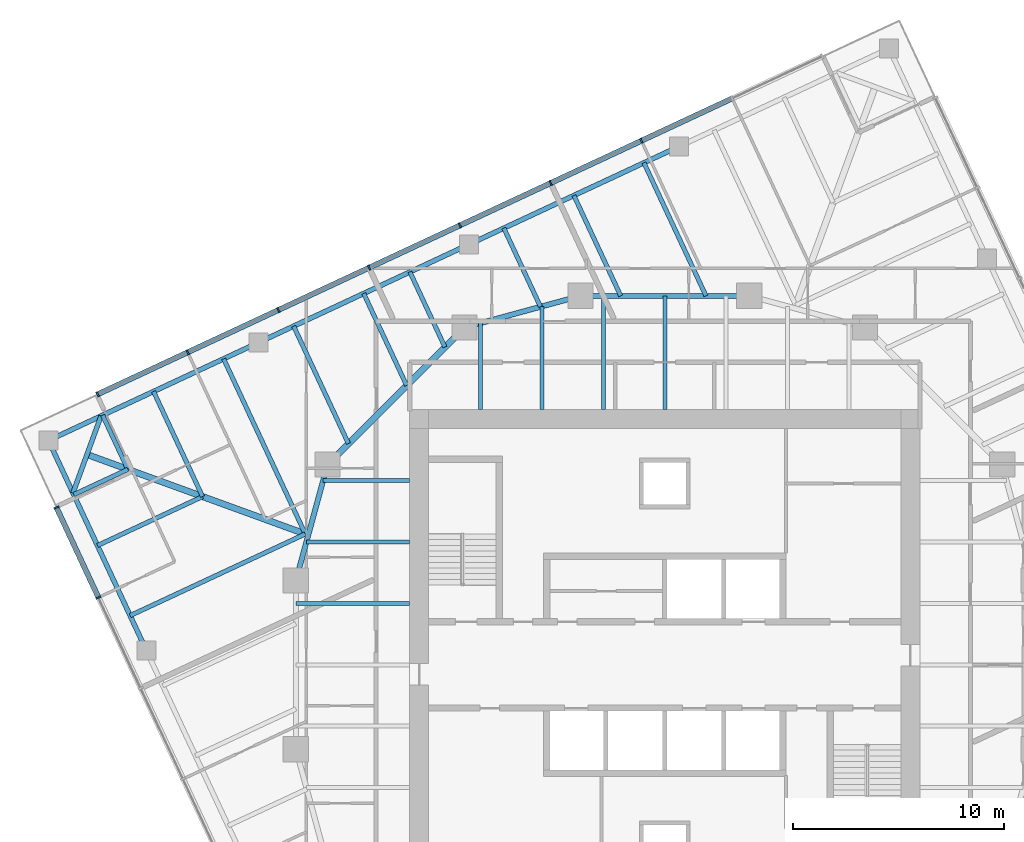
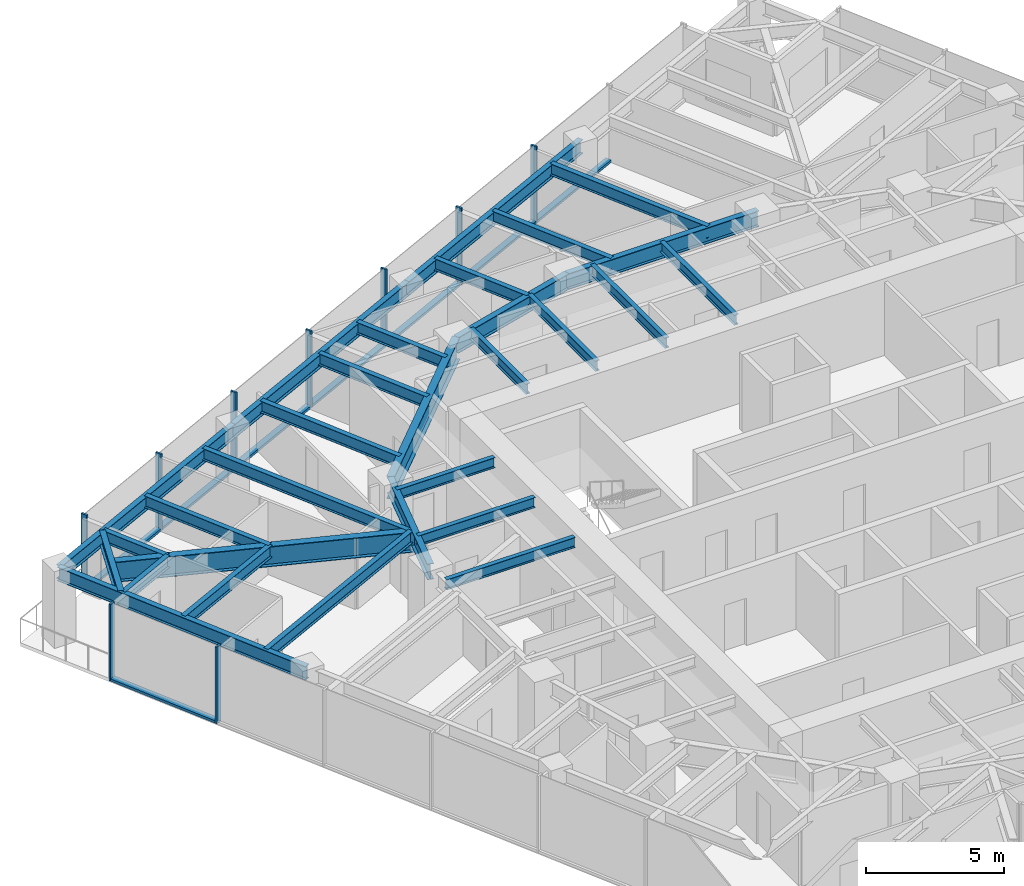
# One storey, part 4 of 13: 29 beams, 17 members, 2 elements without a shape of their own.
"""IFC4 building model written with IfcOpenShell, lengths in metres."""

from ifc_helpers import new_model, si_unit, direction, frame, origin, origin_2d, place, context, subcontext, project, spatial, rectangle, i_section, extrude, material, material_profile, profile_set, type_object, element, aggregate, save


model = new_model("IFC4")

# Units and contexts
model_context = context("Model", 3, precision=1e-05, world=origin(), true_north=direction((0.0, 1.0)))
body_context = subcontext(model_context, "Body", "Model", "MODEL_VIEW")
ifc_project = project(units=[si_unit("LENGTHUNIT", "METRE"), si_unit("AREAUNIT", "SQUARE_METRE"), si_unit("VOLUMEUNIT", "CUBIC_METRE"), si_unit("PLANEANGLEUNIT", "RADIAN"), si_unit("MASSUNIT", "GRAM", prefix="KILO")], contexts=[model_context])

# Site, building, storey
site_placement = place(None, origin())
site = spatial("IfcSite", under=ifc_project, at=site_placement, CompositionType="ELEMENT")
building_placement = place(site_placement, origin())
building = spatial("IfcBuilding", under=site, at=building_placement, Name="Torsade Residences", CompositionType="ELEMENT")
storey_placement = place(building_placement, frame((0.0, 0.0, 179.39990234375)))
storey = spatial("IfcBuildingStorey", under=building, at=storey_placement, Name="L49", CompositionType="ELEMENT", Elevation=179.39990234375)

# Beams
ifc_material_1 = material(Name="Steel grade 300", Category="steel")
ifc_material_profile_1 = material_profile(ifc_material_1, i_section(OverallWidth=0.300048828125, OverallDepth=0.89990234375, WebThickness=0.011962890625, FlangeThickness=0.02490234375, at=origin_2d()), Name="900WB175")
ifc_profile_set_1 = profile_set([ifc_material_profile_1], Name="Steel grade 300")
beam_type_1 = type_object("IfcBeamType", Name="CORNER GIRDER 900WB175", PredefinedType="BEAM", material=ifc_profile_set_1)
beam_1_placement = place(storey_placement, frame((12.5908203125, 39.97607421875, 2.800048828125), z_axis=(0.93969447651, -0.342015044723, 0.0), x_axis=(0.342015044723, 0.93969447651, 0.0)))
element("IfcBeam", 1, at=beam_1_placement, inside=storey, type_object=beam_type_1, Name="Corner girder 13 L50", PredefinedType="BEAM", context=body_context, shape_type="SweptSolid", body=[
    extrude(i_section(OverallWidth=0.300048828125, OverallDepth=0.89990234375, WebThickness=0.011962890625, FlangeThickness=0.02490234375, at=origin_2d()), origin(), (0.0, 0.0, 1.0), 11.170654296875),
])
ifc_material_2 = material(Name="Steel grade 300", Category="steel")
ifc_material_profile_2 = material_profile(ifc_material_2, i_section(OverallWidth=0.22802734375, OverallDepth=0.60205078125, WebThickness=0.010498046875, FlangeThickness=0.014892578125, FilletRadius=0.013916015625, at=origin_2d()), Name="610UB101")
ifc_profile_set_2 = profile_set([ifc_material_profile_2], Name="Steel grade 300")
beam_type_2 = type_object("IfcBeamType", Name="CORNER TRIMMER 610UB101", PredefinedType="BEAM", material=ifc_profile_set_2)
beam_2_placement = place(storey_placement, frame((11.92578125, 38.14892578125, 2.94921875), z_axis=(0.342005152204, 0.939698076972, 0.0), x_axis=(-0.939698076972, 0.342005152204, 0.0)))
element("IfcBeam", 2, at=beam_2_placement, inside=storey, type_object=beam_type_2, Name="Corner trimmer 13 L50", PredefinedType="BEAM", context=body_context, shape_type="SweptSolid", body=[
    extrude(i_section(OverallWidth=0.22802734375, OverallDepth=0.60205078125, WebThickness=0.010498046875, FlangeThickness=0.014892578125, FilletRadius=0.013916015625, at=origin_2d()), origin(), (0.0, 0.0, 1.0), 3.88916015625),
])
ifc_material_3 = material(Name="Steel grade 300", Category="steel")
ifc_material_profile_3 = material_profile(ifc_material_3, i_section(OverallWidth=0.22900390625, OverallDepth=0.612060546875, WebThickness=0.011962890625, FlangeThickness=0.01953125, FilletRadius=0.013916015625, at=origin_2d()), Name="610UB125")
ifc_profile_set_3 = profile_set([ifc_material_profile_3], Name="Steel grade 300")
beam_type_3 = type_object("IfcBeamType", Name="EDGE BEAM 610UB125", PredefinedType="SPANDREL", material=ifc_profile_set_3)
beam_3_placement = place(storey_placement, frame((40.671875, 54.587646484375, 2.944091796875), z_axis=(-0.906305009094, -0.422624219007, 0.0), x_axis=(0.422624219007, -0.906305009094, 0.0)))
element("IfcBeam", 3, at=beam_3_placement, inside=storey, type_object=beam_type_3, Name="Edge beam 10 L50", PredefinedType="SPANDREL", context=body_context, shape_type="SweptSolid", body=[
    extrude(i_section(OverallWidth=0.22900390625, OverallDepth=0.612060546875, WebThickness=0.011962890625, FlangeThickness=0.01953125, FilletRadius=0.013916015625, at=origin_2d()), origin(), (0.0, 0.0, 1.0), 11.000244140625),
])
for number, where, z_axis, x_axis, name in (
    (4, (30.702392578125, 49.938720703125, 2.944091796875), (-0.906313510001, -0.422605988587, 0.0), (0.422605988587, -0.906313510001, 0.0), "Edge beam 11 L50"),
    (5, (20.73291015625, 45.2900390625, 2.944091796875), (-0.90630104482, -0.422632720171, 0.0), (0.422632720171, -0.90630104482, 0.0), "Edge beam 12 L50"),
):
    element("IfcBeam", number, at=place(storey_placement, frame(where, z_axis=z_axis, x_axis=x_axis)), inside=storey, type_object=beam_type_3, Name=name, PredefinedType="SPANDREL", context=body_context, shape_type="SweptSolid", body=[
        extrude(i_section(OverallWidth=0.22900390625, OverallDepth=0.612060546875, WebThickness=0.011962890625, FlangeThickness=0.01953125, FilletRadius=0.013916015625, at=origin_2d()), origin(), (0.0, 0.0, 1.0), 11.0),
    ])
beam_4_placement = place(storey_placement, frame((10.763671875, 40.64111328125, 2.944091796875), z_axis=(0.422614489543, -0.906309546032, 0.0), x_axis=(0.906309546032, 0.422614489543, 0.0)))
element("IfcBeam", 6, at=beam_4_placement, inside=storey, type_object=beam_type_3, Name="Edge beam 13 L50", PredefinedType="SPANDREL", context=body_context, shape_type="SweptSolid", body=[
    extrude(i_section(OverallWidth=0.22900390625, OverallDepth=0.612060546875, WebThickness=0.011962890625, FlangeThickness=0.01953125, FilletRadius=0.013916015625, at=origin_2d()), origin(), (0.0, 0.0, 1.0), 10.999755859375),
])
ifc_material_4 = material(Name="Steel grade 300", Category="steel")
ifc_material_profile_4 = material_profile(ifc_material_4, i_section(OverallWidth=0.18994140625, OverallDepth=0.4541015625, WebThickness=0.008544921875, FlangeThickness=0.0126953125, FilletRadius=0.011474609375, at=origin_2d()), Name="460UB67.1")
ifc_profile_set_4 = profile_set([ifc_material_profile_4], Name="Steel grade 300")
beam_type_4 = type_object("IfcBeamType", Name="INNER FLOOR BEAM 460UB67.1", PredefinedType="JOIST", material=ifc_profile_set_4)
beam_5_placement = place(storey_placement, frame((31.262451171875, 42.10009765625, 3.023193359375), z_axis=(0.0, 1.0, 0.0), x_axis=(-1.0, 0.0, 0.0)))
element("IfcBeam", 7, at=beam_5_placement, inside=storey, type_object=beam_type_4, Name="Inner floor beam IN01 L50", PredefinedType="JOIST", context=body_context, shape_type="SweptSolid", body=[
    extrude(i_section(OverallWidth=0.18994140625, OverallDepth=0.4541015625, WebThickness=0.008544921875, FlangeThickness=0.0126953125, FilletRadius=0.011474609375, at=origin_2d()), origin(), (0.0, 0.0, 1.0), 4.10791015625),
])
beam_6_placement = place(storey_placement, frame((34.175048828125, 42.10009765625, 3.023193359375), z_axis=(0.0, 1.0, 0.0), x_axis=(-1.0, 0.0, 0.0)))
element("IfcBeam", 8, at=beam_6_placement, inside=storey, type_object=beam_type_4, Name="Inner floor beam IN02 L50", PredefinedType="JOIST", context=body_context, shape_type="SweptSolid", body=[
    extrude(i_section(OverallWidth=0.18994140625, OverallDepth=0.4541015625, WebThickness=0.008544921875, FlangeThickness=0.0126953125, FilletRadius=0.011474609375, at=origin_2d()), origin(), (0.0, 0.0, 1.0), 4.902099609375),
])
for number, where, z_axis, x_axis, name in (
    (9, (37.08740234375, 42.10009765625, 3.023193359375), (0.0, 1.0, 0.0), (-1.0, 0.0, 0.0), "Inner floor beam IN03 L50"),
    (10, (40.0, 42.10009765625, 3.023193359375), (0.0, 1.0, 0.0), (-1.0, 0.0, 0.0), "Inner floor beam IN04 L50"),
):
    element("IfcBeam", number, at=place(storey_placement, frame(where, z_axis=z_axis, x_axis=x_axis)), inside=storey, type_object=beam_type_4, Name=name, PredefinedType="JOIST", context=body_context, shape_type="SweptSolid", body=[
        extrude(i_section(OverallWidth=0.18994140625, OverallDepth=0.4541015625, WebThickness=0.008544921875, FlangeThickness=0.0126953125, FilletRadius=0.011474609375, at=origin_2d()), origin(), (0.0, 0.0, 1.0), 5.39990234375),
    ])
beam_7_placement = place(storey_placement, frame((27.89990234375, 38.737548828125, 3.023193359375), z_axis=(-1.0, 0.0, 0.0), x_axis=(0.0, -1.0, 0.0)))
element("IfcBeam", 11, at=beam_7_placement, inside=storey, type_object=beam_type_4, Name="Inner floor beam IW01 L50", PredefinedType="JOIST", context=body_context, shape_type="SweptSolid", body=[
    extrude(i_section(OverallWidth=0.18994140625, OverallDepth=0.4541015625, WebThickness=0.008544921875, FlangeThickness=0.0126953125, FilletRadius=0.011474609375, at=origin_2d()), origin(), (0.0, 0.0, 1.0), 4.10791015625),
])
beam_8_placement = place(storey_placement, frame((27.89990234375, 35.824951171875, 3.023193359375), z_axis=(-1.0, 0.0, 0.0), x_axis=(0.0, -1.0, 0.0)))
element("IfcBeam", 12, at=beam_8_placement, inside=storey, type_object=beam_type_4, Name="Inner floor beam IW02 L50", PredefinedType="JOIST", context=body_context, shape_type="SweptSolid", body=[
    extrude(i_section(OverallWidth=0.18994140625, OverallDepth=0.4541015625, WebThickness=0.008544921875, FlangeThickness=0.0126953125, FilletRadius=0.011474609375, at=origin_2d()), origin(), (0.0, 0.0, 1.0), 4.902099609375),
])
beam_9_placement = place(storey_placement, frame((27.89990234375, 32.91259765625, 3.023193359375), z_axis=(-1.0, 0.0, 0.0), x_axis=(0.0, -1.0, 0.0)))
element("IfcBeam", 13, at=beam_9_placement, inside=storey, type_object=beam_type_4, Name="Inner floor beam IW03 L50", PredefinedType="JOIST", context=body_context, shape_type="SweptSolid", body=[
    extrude(i_section(OverallWidth=0.18994140625, OverallDepth=0.4541015625, WebThickness=0.008544921875, FlangeThickness=0.0126953125, FilletRadius=0.011474609375, at=origin_2d()), origin(), (0.0, 0.0, 1.0), 5.39990234375),
])

# Curtain wall, members
ifc_material_5 = material(Name="Aluminium and glass", Category="aluminium")
curtain_wall_type = type_object("IfcCurtainWallType", Name="FRITTED GLASS CURTAIN WALL MID ZONE", PredefinedType="NOTDEFINED", material=ifc_material_5)
curtain_wall_1_placement = place(storey_placement, origin())
curtain_wall_1 = element("IfcCurtainWall", 14, at=curtain_wall_1_placement, inside=storey, type_object=curtain_wall_type, Name="Curtain wall L49 face 7", PredefinedType="NOTDEFINED")
ifc_material_6 = material(Name="Aluminium mullion", Category="aluminium")
ifc_material_profile_5 = material_profile(ifc_material_6, rectangle(XDim=0.25, YDim=0.080078125, at=origin_2d()), Name="MID ZONE CURTAIN WALL MULLION 250x80")
ifc_profile_set_5 = profile_set([ifc_material_profile_5], Name="Aluminium mullion")
member_type_1 = type_object("IfcMemberType", Name="MID ZONE CURTAIN WALL MULLION 250x80", PredefinedType="MULLION", material=ifc_profile_set_5)
member_1_placement = place(storey_placement, frame((38.8896484375, 54.85986328125, 0.0), z_axis=(0.0, 0.0, 1.0), x_axis=(0.422618261978, -0.906307786926, 0.0)))
member_1 = element("IfcMember", 15, at=member_1_placement, type_object=member_type_1, Name="Mullion 3", PredefinedType="MULLION", context=body_context, shape_type="SweptSolid", body=[
    extrude(rectangle(XDim=0.25, YDim=0.080078125, at=origin_2d()), origin(), (0.0, 0.0, 1.0), 3.400146484375),
])
member_2_placement = place(storey_placement, frame((34.584716796875, 52.8525390625, 0.0), z_axis=(0.0, 0.0, 1.0), x_axis=(0.422618261978, -0.906307786926, 0.0)))
member_2 = element("IfcMember", 16, at=member_2_placement, type_object=member_type_1, Name="Mullion 4", PredefinedType="MULLION", context=body_context, shape_type="SweptSolid", body=[
    extrude(rectangle(XDim=0.25, YDim=0.080078125, at=origin_2d()), origin(), (0.0, 0.0, 1.0), 3.400146484375),
])
member_3_placement = place(storey_placement, frame((30.27978515625, 50.844970703125, 0.0), z_axis=(0.0, 0.0, 1.0), x_axis=(0.422618261978, -0.906307786926, 0.0)))
member_3 = element("IfcMember", 17, at=member_3_placement, type_object=member_type_1, Name="Mullion 5", PredefinedType="MULLION", context=body_context, shape_type="SweptSolid", body=[
    extrude(rectangle(XDim=0.25, YDim=0.080078125, at=origin_2d()), origin(), (0.0, 0.0, 1.0), 3.400146484375),
])
member_4_placement = place(storey_placement, frame((25.974853515625, 48.837646484375, 0.0), z_axis=(0.0, 0.0, 1.0), x_axis=(0.422618261978, -0.906307786926, 0.0)))
member_4 = element("IfcMember", 18, at=member_4_placement, type_object=member_type_1, Name="Mullion 6", PredefinedType="MULLION", context=body_context, shape_type="SweptSolid", body=[
    extrude(rectangle(XDim=0.25, YDim=0.080078125, at=origin_2d()), origin(), (0.0, 0.0, 1.0), 3.400146484375),
])
member_5_placement = place(storey_placement, frame((21.669921875, 46.830322265625, 0.0), z_axis=(0.0, 0.0, 1.0), x_axis=(0.422618261978, -0.906307786926, 0.0)))
member_5 = element("IfcMember", 19, at=member_5_placement, type_object=member_type_1, Name="Mullion 7", PredefinedType="MULLION", context=body_context, shape_type="SweptSolid", body=[
    extrude(rectangle(XDim=0.25, YDim=0.080078125, at=origin_2d()), origin(), (0.0, 0.0, 1.0), 3.400146484375),
])
member_6_placement = place(storey_placement, frame((17.364990234375, 44.82275390625, 0.0), z_axis=(0.0, 0.0, 1.0), x_axis=(0.422618261978, -0.906307786926, 0.0)))
member_6 = element("IfcMember", 20, at=member_6_placement, type_object=member_type_1, Name="Mullion 8", PredefinedType="MULLION", context=body_context, shape_type="SweptSolid", body=[
    extrude(rectangle(XDim=0.25, YDim=0.080078125, at=origin_2d()), origin(), (0.0, 0.0, 1.0), 3.400146484375),
])
member_7_placement = place(storey_placement, frame((13.09619140625, 42.832275390625, 0.0), z_axis=(0.0, 0.0, 1.0), x_axis=(0.422618261978, -0.906307786926, 0.0)))
member_7 = element("IfcMember", 21, at=member_7_placement, type_object=member_type_1, Name="Mullion 9", PredefinedType="MULLION", context=body_context, shape_type="SweptSolid", body=[
    extrude(rectangle(XDim=0.25, YDim=0.080078125, at=origin_2d()), origin(), (0.0, 0.0, 1.0), 3.400146484375),
])

curtain_wall_2_placement = place(storey_placement, origin())
curtain_wall_2 = element("IfcCurtainWall", 22, at=curtain_wall_2_placement, inside=storey, type_object=curtain_wall_type, Name="Curtain wall L49 face 10", PredefinedType="NOTDEFINED")
member_8_placement = place(storey_placement, frame((11.14208984375, 37.46337890625, 0.0), z_axis=(0.0, 0.0, 1.0), x_axis=(0.906307786926, 0.422618261978, 0.0)))
member_8 = element("IfcMember", 23, at=member_8_placement, type_object=member_type_1, Name="Mullion 1", PredefinedType="MULLION", context=body_context, shape_type="SweptSolid", body=[
    extrude(rectangle(XDim=0.25, YDim=0.080078125, at=origin_2d()), origin(), (0.0, 0.0, 1.0), 3.400146484375),
])
member_9_placement = place(storey_placement, frame((13.132568359375, 33.194580078125, 0.0), z_axis=(0.0, 0.0, 1.0), x_axis=(0.906307786926, 0.422618261978, 0.0)))
member_9 = element("IfcMember", 24, at=member_9_placement, type_object=member_type_1, Name="Mullion 2", PredefinedType="MULLION", context=body_context, shape_type="SweptSolid", body=[
    extrude(rectangle(XDim=0.25, YDim=0.080078125, at=origin_2d()), origin(), (0.0, 0.0, 1.0), 3.400146484375),
])

# Member
ifc_material_7 = material(Name="Aluminium transom", Category="aluminium")
ifc_material_profile_6 = material_profile(ifc_material_7, rectangle(XDim=0.25, YDim=0.110107421875, at=origin_2d()), Name="MID ZONE CURTAIN WALL TRANSOM 250x110")
ifc_profile_set_6 = profile_set([ifc_material_profile_6], Name="Aluminium transom")
member_type_2 = type_object("IfcMemberType", Name="MID ZONE CURTAIN WALL TRANSOM 250x110", PredefinedType="USERDEFINED", material=ifc_profile_set_6)
member_10_placement = place(storey_placement, frame((43.158447265625, 56.8505859375, 0.05517578125), z_axis=(-0.906305976097, -0.422622145291, 0.0), x_axis=(0.422622145291, -0.906305976097, 0.0)))
member_10 = element("IfcMember", 25, at=member_10_placement, type_object=member_type_2, Name="Transom 2.1", ObjectType="TRANSOM", PredefinedType="USERDEFINED", context=body_context, shape_type="SweptSolid", body=[
    extrude(rectangle(XDim=0.25, YDim=0.110107421875, at=origin_2d()), origin(), (0.0, 0.0, 1.0), 4.669921875),
])

member_11_placement = place(storey_placement, frame((38.853515625, 54.843017578125, 0.05517578125), z_axis=(-0.906305976097, -0.422622145291, 0.0), x_axis=(0.422622145291, -0.906305976097, 0.0)))
member_11 = element("IfcMember", 26, at=member_11_placement, type_object=member_type_2, Name="Transom 3.1", ObjectType="TRANSOM", PredefinedType="USERDEFINED", context=body_context, shape_type="SweptSolid", body=[
    extrude(rectangle(XDim=0.25, YDim=0.110107421875, at=origin_2d()), origin(), (0.0, 0.0, 1.0), 4.669921875),
])

member_12_placement = place(storey_placement, frame((34.548583984375, 52.835693359375, 0.05517578125), z_axis=(-0.90631531293, -0.422602122035, 0.0), x_axis=(0.422602122035, -0.90631531293, 0.0)))
member_12 = element("IfcMember", 27, at=member_12_placement, type_object=member_type_2, Name="Transom 4.1", ObjectType="TRANSOM", PredefinedType="USERDEFINED", context=body_context, shape_type="SweptSolid", body=[
    extrude(rectangle(XDim=0.25, YDim=0.110107421875, at=origin_2d()), origin(), (0.0, 0.0, 1.0), 4.670166015625),
])

member_13_placement = place(storey_placement, frame((30.243408203125, 50.828125, 0.05517578125), z_axis=(-0.906305976097, -0.422622145291, 0.0), x_axis=(0.422622145291, -0.906305976097, 0.0)))
member_13 = element("IfcMember", 28, at=member_13_placement, type_object=member_type_2, Name="Transom 5.1", ObjectType="TRANSOM", PredefinedType="USERDEFINED", context=body_context, shape_type="SweptSolid", body=[
    extrude(rectangle(XDim=0.25, YDim=0.110107421875, at=origin_2d()), origin(), (0.0, 0.0, 1.0), 4.669921875),
])

member_14_placement = place(storey_placement, frame((25.9384765625, 48.82080078125, 0.05517578125), z_axis=(-0.906305976097, -0.422622145291, 0.0), x_axis=(0.422622145291, -0.906305976097, 0.0)))
member_14 = element("IfcMember", 29, at=member_14_placement, type_object=member_type_2, Name="Transom 6.1", ObjectType="TRANSOM", PredefinedType="USERDEFINED", context=body_context, shape_type="SweptSolid", body=[
    extrude(rectangle(XDim=0.25, YDim=0.110107421875, at=origin_2d()), origin(), (0.0, 0.0, 1.0), 4.669921875),
])

member_15_placement = place(storey_placement, frame((21.633544921875, 46.813232421875, 0.05517578125), z_axis=(-0.906305976097, -0.422622145291, 0.0), x_axis=(0.422622145291, -0.906305976097, 0.0)))
member_15 = element("IfcMember", 30, at=member_15_placement, type_object=member_type_2, Name="Transom 7.1", ObjectType="TRANSOM", PredefinedType="USERDEFINED", context=body_context, shape_type="SweptSolid", body=[
    extrude(rectangle(XDim=0.25, YDim=0.110107421875, at=origin_2d()), origin(), (0.0, 0.0, 1.0), 4.669921875),
])

member_16_placement = place(storey_placement, frame((17.32861328125, 44.805908203125, 0.05517578125), z_axis=(-0.906305687176, -0.422622764878, 0.0), x_axis=(0.422622764878, -0.906305687176, 0.0)))
member_16 = element("IfcMember", 31, at=member_16_placement, type_object=member_type_2, Name="Transom 8.1", ObjectType="TRANSOM", PredefinedType="USERDEFINED", context=body_context, shape_type="SweptSolid", body=[
    extrude(rectangle(XDim=0.25, YDim=0.110107421875, at=origin_2d()), origin(), (0.0, 0.0, 1.0), 4.630126953125),
])

aggregate(curtain_wall_1, [member_1, member_2, member_3, member_4, member_5, member_6, member_7, member_10, member_11, member_12, member_13, member_14, member_15, member_16])

member_17_placement = place(storey_placement, frame((11.158935546875, 37.427001953125, 0.05517578125), z_axis=(0.422642962277, -0.906296268578, 0.0), x_axis=(0.906296268578, 0.422642962277, 0.0)))
member_17 = element("IfcMember", 32, at=member_17_placement, type_object=member_type_2, Name="Transom 1.1", ObjectType="TRANSOM", PredefinedType="USERDEFINED", context=body_context, shape_type="SweptSolid", body=[
    extrude(rectangle(XDim=0.25, YDim=0.110107421875, at=origin_2d()), origin(), (0.0, 0.0, 1.0), 4.6298828125),
])

aggregate(curtain_wall_2, [member_8, member_9, member_17])

# Beams
ifc_material_8 = material(Name="Steel grade 300", Category="steel")
ifc_material_profile_7 = material_profile(ifc_material_8, i_section(OverallWidth=0.300048828125, OverallDepth=1.0, WebThickness=0.01611328125, FlangeThickness=0.028076171875, at=origin_2d()), Name="1000WB215")
ifc_profile_set_7 = profile_set([ifc_material_profile_7], Name="Steel grade 300")
beam_type_5 = type_object("IfcBeamType", Name="RING CORNER GIRDER 1000WB215", PredefinedType="BEAM", material=ifc_profile_set_7)
beam_10_placement = place(storey_placement, frame((30.5, 46.0, 2.75), z_axis=(-0.707106781187, -0.707106781187, 0.0), x_axis=(0.707106781187, -0.707106781187, 0.0)))
element("IfcBeam", 33, at=beam_10_placement, inside=storey, type_object=beam_type_5, Name="Ring girder IR07 L50", PredefinedType="BEAM", context=body_context, shape_type="SweptSolid", body=[
    extrude(i_section(OverallWidth=0.300048828125, OverallDepth=1.0, WebThickness=0.01611328125, FlangeThickness=0.028076171875, at=origin_2d()), origin(), (0.0, 0.0, 1.0), 9.1923828125),
])
ifc_material_9 = material(Name="Steel grade 300", Category="steel")
ifc_material_profile_8 = material_profile(ifc_material_9, i_section(OverallWidth=0.25, OverallDepth=0.699951171875, WebThickness=0.010009765625, FlangeThickness=0.02001953125, at=origin_2d()), Name="700WB130")
ifc_profile_set_8 = profile_set([ifc_material_profile_8], Name="Steel grade 300")
beam_type_6 = type_object("IfcBeamType", Name="RING GIRDER 700WB130", PredefinedType="BEAM", material=ifc_profile_set_8)
beam_11_placement = place(storey_placement, frame((44.0, 47.5, 2.900146484375), z_axis=(-1.0, 0.0, 0.0), x_axis=(0.0, -1.0, 0.0)))
element("IfcBeam", 34, at=beam_11_placement, inside=storey, type_object=beam_type_6, Name="Ring girder IR05 L50", PredefinedType="BEAM", context=body_context, shape_type="SweptSolid", body=[
    extrude(i_section(OverallWidth=0.25, OverallDepth=0.699951171875, WebThickness=0.010009765625, FlangeThickness=0.02001953125, at=origin_2d()), origin(), (0.0, 0.0, 1.0), 8.0),
])
for number, where, z_axis, x_axis, name in (
    (35, (36.0, 47.5, 2.900146484375), (-0.964763821238, -0.263117405792, 0.0), (0.263117405792, -0.964763821238, 0.0), "Ring girder IR06 L50"),
    (36, (24.0, 39.5, 2.900146484375), (-0.263117405792, -0.964763821238, 0.0), (0.964763821238, -0.263117405792, 0.0), "Ring girder IR08 L50"),
):
    element("IfcBeam", number, at=place(storey_placement, frame(where, z_axis=z_axis, x_axis=x_axis)), inside=storey, type_object=beam_type_6, Name=name, PredefinedType="BEAM", context=body_context, shape_type="SweptSolid", body=[
        extrude(i_section(OverallWidth=0.25, OverallDepth=0.699951171875, WebThickness=0.010009765625, FlangeThickness=0.02001953125, at=origin_2d()), origin(), (0.0, 0.0, 1.0), 5.700927734375),
    ])
ifc_material_10 = material(Name="Steel grade 300", Category="steel")
ifc_material_profile_9 = material_profile(ifc_material_10, i_section(OverallWidth=0.208984375, OverallDepth=0.528076171875, WebThickness=0.009521484375, FlangeThickness=0.01318359375, FilletRadius=0.013916015625, at=origin_2d()), Name="530UB82.0")
ifc_profile_set_9 = profile_set([ifc_material_profile_9], Name="Steel grade 300")
beam_type_7 = type_object("IfcBeamType", Name="SECONDARY BEAM 530UB82.0", PredefinedType="JOIST", material=ifc_profile_set_9)
beam_12_placement = place(storey_placement, frame((39.01025390625, 53.812744140625, 2.986083984375), z_axis=(0.422609131726, -0.906312044376, 0.0), x_axis=(0.906312044376, 0.422609131726, 0.0)))
element("IfcBeam", 37, at=beam_12_placement, inside=storey, type_object=beam_type_7, Name="Floor beam FN04 L50", PredefinedType="JOIST", context=body_context, shape_type="SweptSolid", body=[
    extrude(i_section(OverallWidth=0.208984375, OverallDepth=0.528076171875, WebThickness=0.009521484375, FlangeThickness=0.01318359375, FilletRadius=0.013916015625, at=origin_2d()), origin(), (0.0, 0.0, 1.0), 6.96533203125),
])
beam_13_placement = place(storey_placement, frame((35.68701171875, 52.26318359375, 2.986083984375), z_axis=(0.422631142882, -0.90630178035, 0.0), x_axis=(0.90630178035, 0.422631142882, 0.0)))
element("IfcBeam", 38, at=beam_13_placement, inside=storey, type_object=beam_type_7, Name="Floor beam FN05 L50", PredefinedType="JOIST", context=body_context, shape_type="SweptSolid", body=[
    extrude(i_section(OverallWidth=0.208984375, OverallDepth=0.528076171875, WebThickness=0.009521484375, FlangeThickness=0.01318359375, FilletRadius=0.013916015625, at=origin_2d()), origin(), (0.0, 0.0, 1.0), 5.255615234375),
])
beam_14_placement = place(storey_placement, frame((32.364013671875, 50.713623046875, 2.986083984375), z_axis=(0.422635442612, -0.906299775267, 0.0), x_axis=(0.906299775267, 0.422635442612, 0.0)))
element("IfcBeam", 39, at=beam_14_placement, inside=storey, type_object=beam_type_7, Name="Floor beam FN06 L50", PredefinedType="JOIST", context=body_context, shape_type="SweptSolid", body=[
    extrude(i_section(OverallWidth=0.208984375, OverallDepth=0.528076171875, WebThickness=0.009521484375, FlangeThickness=0.01318359375, FilletRadius=0.013916015625, at=origin_2d()), origin(), (0.0, 0.0, 1.0), 4.116455078125),
])
beam_15_placement = place(storey_placement, frame((27.907958984375, 48.6357421875, 2.986083984375), z_axis=(0.422644222818, -0.906295680735, 0.0), x_axis=(0.906295680735, 0.422644222818, 0.0)))
element("IfcBeam", 40, at=beam_15_placement, inside=storey, type_object=beam_type_7, Name="Floor beam FN07 L50", PredefinedType="JOIST", context=body_context, shape_type="SweptSolid", body=[
    extrude(i_section(OverallWidth=0.208984375, OverallDepth=0.528076171875, WebThickness=0.009521484375, FlangeThickness=0.01318359375, FilletRadius=0.013916015625, at=origin_2d()), origin(), (0.0, 0.0, 1.0), 3.933837890625),
])
beam_16_placement = place(storey_placement, frame((25.7177734375, 47.6142578125, 2.986083984375), z_axis=(0.422618876857, -0.906307500203, 0.0), x_axis=(0.906307500203, 0.422618876857, 0.0)))
element("IfcBeam", 41, at=beam_16_placement, inside=storey, type_object=beam_type_7, Name="Floor beam FN08 L50", PredefinedType="JOIST", context=body_context, shape_type="SweptSolid", body=[
    extrude(i_section(OverallWidth=0.208984375, OverallDepth=0.528076171875, WebThickness=0.009521484375, FlangeThickness=0.01318359375, FilletRadius=0.013916015625, at=origin_2d()), origin(), (0.0, 0.0, 1.0), 4.813232421875),
])
beam_17_placement = place(storey_placement, frame((22.39453125, 46.064697265625, 2.986083984375), z_axis=(0.42264848683, -0.906293692233, 0.0), x_axis=(0.906293692233, 0.42264848683, 0.0)))
element("IfcBeam", 42, at=beam_17_placement, inside=storey, type_object=beam_type_7, Name="Floor beam FN09 L50", PredefinedType="JOIST", context=body_context, shape_type="SweptSolid", body=[
    extrude(i_section(OverallWidth=0.208984375, OverallDepth=0.528076171875, WebThickness=0.009521484375, FlangeThickness=0.01318359375, FilletRadius=0.013916015625, at=origin_2d()), origin(), (0.0, 0.0, 1.0), 6.14794921875),
])
beam_18_placement = place(storey_placement, frame((19.071533203125, 44.51513671875, 2.986083984375), z_axis=(0.422618627092, -0.90630761667, 0.0), x_axis=(0.90630761667, 0.422618627092, 0.0)))
element("IfcBeam", 43, at=beam_18_placement, inside=storey, type_object=beam_type_7, Name="Floor beam FN10 L50", PredefinedType="JOIST", context=body_context, shape_type="SweptSolid", body=[
    extrude(i_section(OverallWidth=0.208984375, OverallDepth=0.528076171875, WebThickness=0.009521484375, FlangeThickness=0.01318359375, FilletRadius=0.013916015625, at=origin_2d()), origin(), (0.0, 0.0, 1.0), 9.166748046875),
])
beam_19_placement = place(storey_placement, frame((15.748291015625, 42.965576171875, 2.986083984375), z_axis=(0.422632720171, -0.90630104482, 0.0), x_axis=(0.90630104482, 0.422632720171, 0.0)))
element("IfcBeam", 44, at=beam_19_placement, inside=storey, type_object=beam_type_7, Name="Floor beam FN11 L50", PredefinedType="JOIST", context=body_context, shape_type="SweptSolid", body=[
    extrude(i_section(OverallWidth=0.208984375, OverallDepth=0.528076171875, WebThickness=0.009521484375, FlangeThickness=0.01318359375, FilletRadius=0.013916015625, at=origin_2d()), origin(), (0.0, 0.0, 1.0), 5.5),
])
for number, where, z_axis, x_axis, name in (
    (45, (13.33154296875, 41.838623046875, 2.986083984375), (0.42257409885, -0.906328379221, 0.0), (0.906328379221, 0.42257409885, 0.0), "Floor beam FN12 L50"),
    (46, (11.9609375, 38.0732421875, 2.986083984375), (0.906295375613, 0.422644877104, 0.0), (-0.422644877104, 0.906295375613, 0.0), "Floor beam FW01 L50"),
):
    element("IfcBeam", number, at=place(storey_placement, frame(where, z_axis=z_axis, x_axis=x_axis)), inside=storey, type_object=beam_type_7, Name=name, PredefinedType="JOIST", context=body_context, shape_type="SweptSolid", body=[
        extrude(i_section(OverallWidth=0.208984375, OverallDepth=0.528076171875, WebThickness=0.009521484375, FlangeThickness=0.01318359375, FilletRadius=0.013916015625, at=origin_2d()), origin(), (0.0, 0.0, 1.0), 2.833251953125),
    ])
beam_20_placement = place(storey_placement, frame((13.088134765625, 35.656494140625, 2.986083984375), z_axis=(0.90630104482, 0.422632720171, 0.0), x_axis=(-0.422632720171, 0.90630104482, 0.0)))
element("IfcBeam", 47, at=beam_20_placement, inside=storey, type_object=beam_type_7, Name="Floor beam FW02 L50", PredefinedType="JOIST", context=body_context, shape_type="SweptSolid", body=[
    extrude(i_section(OverallWidth=0.208984375, OverallDepth=0.528076171875, WebThickness=0.009521484375, FlangeThickness=0.01318359375, FilletRadius=0.013916015625, at=origin_2d()), origin(), (0.0, 0.0, 1.0), 5.5),
])
beam_21_placement = place(storey_placement, frame((14.6376953125, 32.333251953125, 2.986083984375), z_axis=(0.90630761667, 0.422618627092, 0.0), x_axis=(-0.422618627092, 0.90630761667, 0.0)))
element("IfcBeam", 48, at=beam_21_placement, inside=storey, type_object=beam_type_7, Name="Floor beam FW03 L50", PredefinedType="JOIST", context=body_context, shape_type="SweptSolid", body=[
    extrude(i_section(OverallWidth=0.208984375, OverallDepth=0.528076171875, WebThickness=0.009521484375, FlangeThickness=0.01318359375, FilletRadius=0.013916015625, at=origin_2d()), origin(), (0.0, 0.0, 1.0), 9.166748046875),
])

save(model, "model.ifc")
